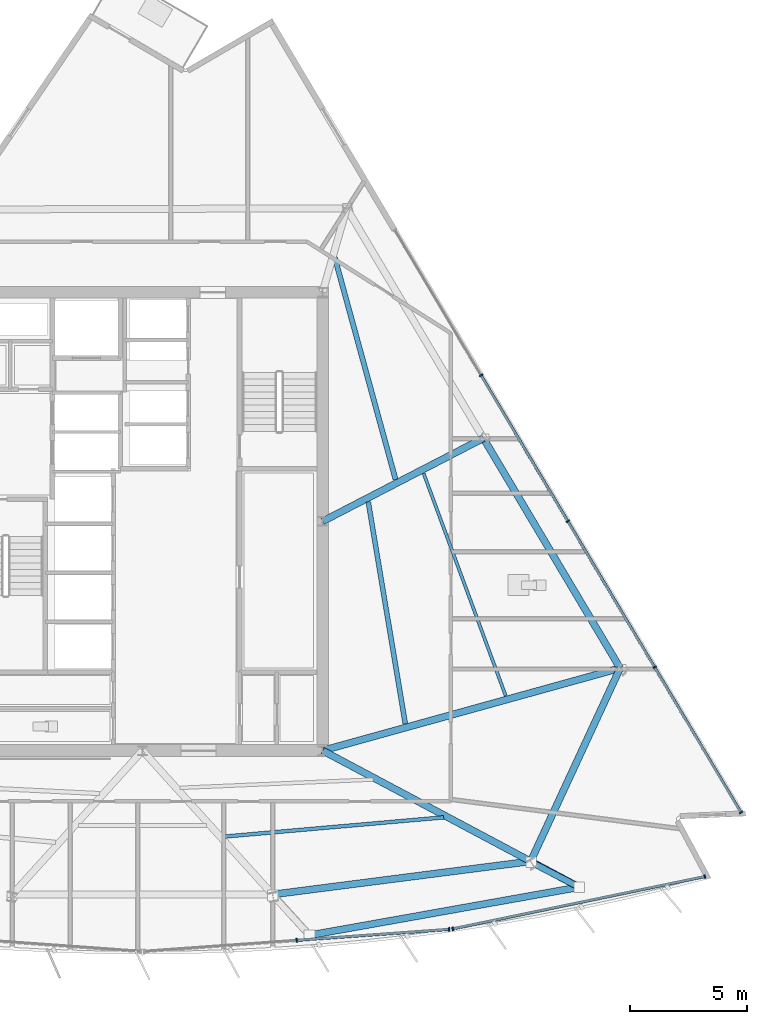
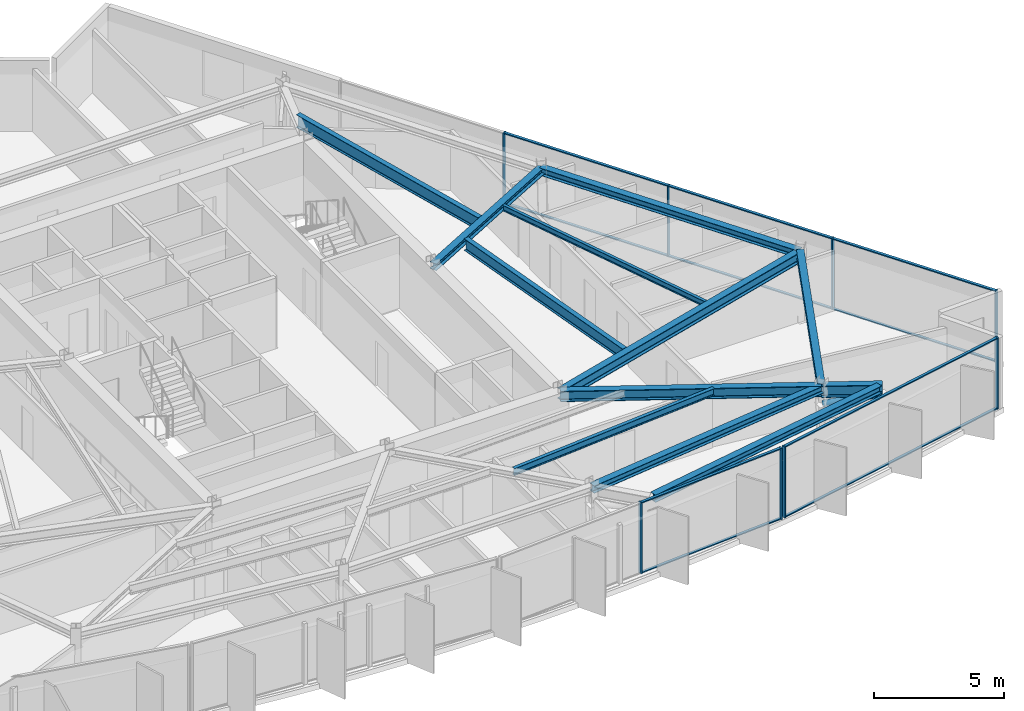
# One storey, part 5 of 15: 19 members, 12 beams, 3 elements without a shape of their own.
"""IFC4 building model written with IfcOpenShell, lengths in metres."""

from ifc_helpers import new_model, si_unit, direction, frame, origin, origin_2d, place, context, subcontext, project, spatial, rectangle, hollow_circle, i_section, extrude, material, material_profile, profile_set, type_object, element, aggregate, save


model = new_model("IFC4")

# Units and contexts
model_context = context("Model", 3, precision=1e-05, world=origin(), true_north=direction((0.0, 1.0)))
body_context = subcontext(model_context, "Body", "Model", "MODEL_VIEW")
ifc_project = project(units=[si_unit("LENGTHUNIT", "METRE"), si_unit("AREAUNIT", "SQUARE_METRE"), si_unit("VOLUMEUNIT", "CUBIC_METRE"), si_unit("PLANEANGLEUNIT", "RADIAN"), si_unit("MASSUNIT", "GRAM", prefix="KILO")], contexts=[model_context])

# Site, building, storey
site_placement = place(None, origin())
site = spatial("IfcSite", under=ifc_project, at=site_placement, CompositionType="ELEMENT")
building_placement = place(site_placement, origin())
building = spatial("IfcBuilding", under=site, at=building_placement, Name="Savorim Split Tower", CompositionType="ELEMENT")
storey_placement = place(building_placement, frame((0.0, 0.0, 212.699951171875)))
storey = spatial("IfcBuildingStorey", under=building, at=storey_placement, Name="L56", CompositionType="ELEMENT", Elevation=212.699951171875)

# Beams
ifc_material_1 = material(Name="Steel S355", Category="steel")
ifc_material_profile_1 = material_profile(ifc_material_1, i_section(OverallWidth=0.135009765625, OverallDepth=0.27001953125, WebThickness=0.006591796875, FlangeThickness=0.01025390625, FilletRadius=0.014892578125, at=origin_2d()), Name="IPE 270")
ifc_profile_set_1 = profile_set([ifc_material_profile_1], Name="Steel S355")
beam_type_1 = type_object("IfcBeamType", Name="BM-JST-IPE270", PredefinedType="JOIST", material=ifc_profile_set_1)
beam_1_placement = place(storey_placement, frame((15.5302734375, -7.06396484375, 3.215087890625), z_axis=(-0.346237241839, 0.938146988677, 0.0), x_axis=(-0.938146988677, -0.346237241839, 0.0)))
element("IfcBeam", 1, at=beam_1_placement, inside=storey, type_object=beam_type_1, Name="L56 Secondary Floor Joist JS-06", PredefinedType="JOIST", context=body_context, shape_type="SweptSolid", body=[
    extrude(i_section(OverallWidth=0.135009765625, OverallDepth=0.27001953125, WebThickness=0.006591796875, FlangeThickness=0.01025390625, FilletRadius=0.014892578125, at=origin_2d()), origin(), (0.0, 0.0, 1.0), 10.145263671875),
])
ifc_material_profile_2 = material_profile(ifc_material_1, i_section(OverallWidth=0.159912109375, OverallDepth=0.330078125, WebThickness=0.007568359375, FlangeThickness=0.011474609375, FilletRadius=0.01806640625, at=origin_2d()), Name="IPE 330")
ifc_profile_set_2 = profile_set([ifc_material_profile_2], Name="Steel S355")
beam_type_2 = type_object("IfcBeamType", Name="BM-JST-IPE330", PredefinedType="JOIST", material=ifc_profile_set_2)
beam_2_placement = place(storey_placement, frame((3.49658203125, -13.076904296875, 3.18505859375), z_axis=(0.996185524637, 0.087260532332, 0.0), x_axis=(-0.087260532332, 0.996185524637, 0.0)))
element("IfcBeam", 2, at=beam_2_placement, inside=storey, type_object=beam_type_2, Name="L56 Secondary Floor Joist JS-04", PredefinedType="JOIST", context=body_context, shape_type="SweptSolid", body=[
    extrude(i_section(OverallWidth=0.159912109375, OverallDepth=0.330078125, WebThickness=0.007568359375, FlangeThickness=0.011474609375, FilletRadius=0.01806640625, at=origin_2d()), origin(), (0.0, 0.0, 1.0), 9.41748046875),
])
ifc_material_profile_3 = material_profile(ifc_material_1, i_section(OverallWidth=0.2099609375, OverallDepth=0.550048828125, WebThickness=0.010986328125, FlangeThickness=0.01708984375, FilletRadius=0.02392578125, at=origin_2d()), Name="IPE 550")
ifc_profile_set_3 = profile_set([ifc_material_profile_3], Name="Steel S355")
beam_type_3 = type_object("IfcBeamType", Name="BM-JST-IPE550", PredefinedType="JOIST", material=ifc_profile_set_3)
beam_3_placement = place(storey_placement, frame((11.23486328125, -8.2548828125, 3.074951171875), z_axis=(-0.164567653394, 0.986365797996, 0.0), x_axis=(-0.986365797996, -0.164567653394, 0.0)))
element("IfcBeam", 3, at=beam_3_placement, inside=storey, type_object=beam_type_3, Name="L56 Secondary Floor Joist JS-08", PredefinedType="JOIST", context=body_context, shape_type="SweptSolid", body=[
    extrude(i_section(OverallWidth=0.2099609375, OverallDepth=0.550048828125, WebThickness=0.010986328125, FlangeThickness=0.01708984375, FilletRadius=0.02392578125, at=origin_2d()), origin(), (0.0, 0.0, 1.0), 9.62353515625),
])
ifc_material_profile_4 = material_profile(ifc_material_1, i_section(OverallWidth=0.219970703125, OverallDepth=0.60009765625, WebThickness=0.011962890625, FlangeThickness=0.01904296875, FilletRadius=0.02392578125, at=origin_2d()), Name="IPE 600")
ifc_profile_set_4 = profile_set([ifc_material_profile_4], Name="Steel S355")
beam_type_4 = type_object("IfcBeamType", Name="BM-JST-IPE600", PredefinedType="JOIST", material=ifc_profile_set_4)
beam_4_placement = place(storey_placement, frame((10.81982421875, 2.189453125, 3.050048828125), z_axis=(-0.264211471665, 0.964464772939, 0.0), x_axis=(-0.964464772939, -0.264211471665, 0.0)))
element("IfcBeam", 4, at=beam_4_placement, inside=storey, type_object=beam_type_4, Name="L56 Secondary Floor Joist JS-07", PredefinedType="JOIST", context=body_context, shape_type="SweptSolid", body=[
    extrude(i_section(OverallWidth=0.219970703125, OverallDepth=0.60009765625, WebThickness=0.011962890625, FlangeThickness=0.01904296875, FilletRadius=0.02392578125, at=origin_2d()), origin(), (0.0, 0.0, 1.0), 9.854736328125),
])
ifc_material_profile_5 = material_profile(ifc_material_1, i_section(OverallWidth=0.300048828125, OverallDepth=0.320068359375, WebThickness=0.011474609375, FlangeThickness=0.0205078125, FilletRadius=0.027099609375, at=origin_2d()), Name="HEB 320")
ifc_profile_set_5 = profile_set([ifc_material_profile_5], Name="Steel S355")
beam_type_5 = type_object("IfcBeamType", Name="BM-PRI-HEB320", PredefinedType="BEAM", material=ifc_profile_set_5)
beam_5_placement = place(storey_placement, frame((14.57421875, 3.95458984375, 3.18994140625), z_axis=(-0.888268686981, -0.459324220707, 0.0), x_axis=(0.459324220707, -0.888268686981, 0.0)))
element("IfcBeam", 5, at=beam_5_placement, inside=storey, type_object=beam_type_5, Name="L56 Primary Floor Girder RG-06", PredefinedType="BEAM", context=body_context, shape_type="SweptSolid", body=[
    extrude(i_section(OverallWidth=0.300048828125, OverallDepth=0.320068359375, WebThickness=0.011474609375, FlangeThickness=0.0205078125, FilletRadius=0.027099609375, at=origin_2d()), origin(), (0.0, 0.0, 1.0), 7.739013671875),
])
ifc_material_profile_6 = material_profile(ifc_material_1, i_section(OverallWidth=0.300048828125, OverallDepth=0.5, WebThickness=0.014404296875, FlangeThickness=0.028076171875, FilletRadius=0.027099609375, at=origin_2d()), Name="HEB 500")
ifc_profile_set_6 = profile_set([ifc_material_profile_6], Name="Steel S355")
beam_type_6 = type_object("IfcBeamType", Name="BM-PRI-HEB500", PredefinedType="BEAM", material=ifc_profile_set_6)
beam_6_placement = place(storey_placement, frame((16.595947265625, -14.135009765625, 3.10009765625), z_axis=(-0.882740924774, 0.469860042703, 0.0), x_axis=(-0.469860042703, -0.882740924774, 0.0)))
element("IfcBeam", 6, at=beam_6_placement, inside=storey, type_object=beam_type_6, Name="L56 Primary Floor Girder RG-04", PredefinedType="BEAM", context=body_context, shape_type="SweptSolid", body=[
    extrude(i_section(OverallWidth=0.300048828125, OverallDepth=0.5, WebThickness=0.014404296875, FlangeThickness=0.028076171875, FilletRadius=0.027099609375, at=origin_2d()), origin(), (0.0, 0.0, 1.0), 10.07763671875),
])
beam_7_placement = place(storey_placement, frame((20.418701171875, -5.874267578125, 3.10009765625), z_axis=(-0.963661407091, -0.26712673487, 0.0), x_axis=(0.26712673487, -0.963661407091, 0.0)))
element("IfcBeam", 7, at=beam_7_placement, inside=storey, type_object=beam_type_6, Name="L56 Primary Floor Girder RG-05", PredefinedType="BEAM", context=body_context, shape_type="SweptSolid", body=[
    extrude(i_section(OverallWidth=0.300048828125, OverallDepth=0.5, WebThickness=0.014404296875, FlangeThickness=0.028076171875, FilletRadius=0.027099609375, at=origin_2d()), origin(), (0.0, 0.0, 1.0), 13.1982421875),
])
ifc_material_profile_7 = material_profile(ifc_material_1, i_section(OverallWidth=0.300048828125, OverallDepth=0.550048828125, WebThickness=0.014892578125, FlangeThickness=0.029052734375, FilletRadius=0.027099609375, at=origin_2d()), Name="HEB 550")
ifc_profile_set_7 = profile_set([ifc_material_profile_7], Name="Steel S355")
beam_type_7 = type_object("IfcBeamType", Name="BM-PRI-HEB550", PredefinedType="BEAM", material=ifc_profile_set_7)
beam_8_placement = place(storey_placement, frame((16.595947265625, -14.135009765625, 3.074951171875), z_axis=(0.882729384276, -0.469881723559, 0.0), x_axis=(0.469881723559, 0.882729384276, 0.0)))
element("IfcBeam", 8, at=beam_8_placement, inside=storey, type_object=beam_type_7, Name="L56 Cantilevered Lounge Rib 2", PredefinedType="BEAM", context=body_context, shape_type="SweptSolid", body=[
    extrude(i_section(OverallWidth=0.300048828125, OverallDepth=0.550048828125, WebThickness=0.014892578125, FlangeThickness=0.029052734375, FilletRadius=0.027099609375, at=origin_2d()), origin(), (0.0, 0.0, 1.0), 2.35009765625),
])
ifc_material_profile_8 = material_profile(ifc_material_1, i_section(OverallWidth=0.300048828125, OverallDepth=0.35009765625, WebThickness=0.010009765625, FlangeThickness=0.017578125, FilletRadius=0.027099609375, at=origin_2d()), Name="HEA 360")
ifc_profile_set_8 = profile_set([ifc_material_profile_8], Name="Steel S355")
beam_type_8 = type_object("IfcBeamType", Name="BM-SPN-HEA360", PredefinedType="SPANDREL", material=ifc_profile_set_8)
beam_9_placement = place(storey_placement, frame((5.562255859375, -15.5517578125, 3.175048828125), z_axis=(0.991857016429, 0.127356424887, 0.0), x_axis=(-0.127356424887, 0.991857016429, 0.0)))
element("IfcBeam", 9, at=beam_9_placement, inside=storey, type_object=beam_type_8, Name="L56 Perimeter Spandrel Beam 3", PredefinedType="SPANDREL", context=body_context, shape_type="SweptSolid", body=[
    extrude(i_section(OverallWidth=0.300048828125, OverallDepth=0.35009765625, WebThickness=0.010009765625, FlangeThickness=0.017578125, FilletRadius=0.027099609375, at=origin_2d()), origin(), (0.0, 0.0, 1.0), 11.124267578125),
])
beam_10_placement = place(storey_placement, frame((16.595947265625, -14.135009765625, 3.175048828125), z_axis=(0.419973040056, 0.907536580875, 0.0), x_axis=(-0.907536580875, 0.419973040056, 0.0)))
element("IfcBeam", 10, at=beam_10_placement, inside=storey, type_object=beam_type_8, Name="L56 Perimeter Spandrel Beam 4", PredefinedType="SPANDREL", context=body_context, shape_type="SweptSolid", body=[
    extrude(i_section(OverallWidth=0.300048828125, OverallDepth=0.35009765625, WebThickness=0.010009765625, FlangeThickness=0.017578125, FilletRadius=0.027099609375, at=origin_2d()), origin(), (0.0, 0.0, 1.0), 9.102294921875),
])
beam_11_placement = place(storey_placement, frame((20.418701171875, -5.874267578125, 3.175048828125), z_axis=(-0.511094576525, 0.859524481237, 0.0), x_axis=(-0.859524481237, -0.511094576525, 0.0)))
element("IfcBeam", 11, at=beam_11_placement, inside=storey, type_object=beam_type_8, Name="L56 Perimeter Spandrel Beam 5", PredefinedType="SPANDREL", context=body_context, shape_type="SweptSolid", body=[
    extrude(i_section(OverallWidth=0.300048828125, OverallDepth=0.35009765625, WebThickness=0.010009765625, FlangeThickness=0.017578125, FilletRadius=0.027099609375, at=origin_2d()), origin(), (0.0, 0.0, 1.0), 11.435302734375),
])
beam_12_placement = place(storey_placement, frame((7.2958984375, -17.2666015625, 3.175048828125), z_axis=(0.984484866102, 0.17546950851, 0.0), x_axis=(-0.17546950851, 0.984484866102, 0.0)))
element("IfcBeam", 12, at=beam_12_placement, inside=storey, type_object=beam_type_8, Name="L56 Cantilevered Lounge Front Edge Beam", PredefinedType="SPANDREL", context=body_context, shape_type="SweptSolid", body=[
    extrude(i_section(OverallWidth=0.300048828125, OverallDepth=0.35009765625, WebThickness=0.010009765625, FlangeThickness=0.017578125, FilletRadius=0.027099609375, at=origin_2d()), origin(), (0.0, 0.0, 1.0), 11.393798828125),
])

# Curtain wall, members
ifc_material_2 = material(Name="Dark Ceramic-Fritted Insulated Glass", Category="glass")
curtain_wall_type = type_object("IfcCurtainWallType", Name="CW-TWR-FRIT-B", PredefinedType="NOTDEFINED", material=ifc_material_2)
curtain_wall_1_placement = place(storey_placement, origin())
curtain_wall_1 = element("IfcCurtainWall", 13, at=curtain_wall_1_placement, inside=storey, type_object=curtain_wall_type, Name="L56 Curtain Wall CW-L56-SF3", PredefinedType="NOTDEFINED")
ifc_material_3 = material(Name="Charcoal Anodised Aluminium", Category="aluminium")
ifc_material_profile_9 = material_profile(ifc_material_3, rectangle(XDim=0.159912109375, YDim=0.06005859375, at=origin_2d()), Name="ALU-M 160x60")
ifc_profile_set_9 = profile_set([ifc_material_profile_9], Name="Charcoal Anodised Aluminium")
member_type_1 = type_object("IfcMemberType", Name="CWM-160x60", PredefinedType="MULLION", material=ifc_profile_set_9)
member_1_placement = place(storey_placement, frame((6.591796875, -17.509033203125, 0.0), z_axis=(0.0, 0.0, 1.0), x_axis=(-0.071561883187, 0.997436161804, 0.0)))
member_1 = element("IfcMember", 14, at=member_1_placement, type_object=member_type_1, Name="CW-03 mullion 2", PredefinedType="MULLION", context=body_context, shape_type="SweptSolid", body=[
    extrude(rectangle(XDim=0.159912109375, YDim=0.06005859375, at=origin_2d()), origin(), (0.0, 0.0, 1.0), 3.35009765625),
])
member_2_placement = place(storey_placement, frame((13.102294921875, -17.0419921875, 0.0), z_axis=(0.0, 0.0, 1.0), x_axis=(-0.071561883187, 0.997436161804, 0.0)))
member_2 = element("IfcMember", 15, at=member_2_placement, type_object=member_type_1, Name="CW-03 mullion 3", PredefinedType="MULLION", context=body_context, shape_type="SweptSolid", body=[
    extrude(rectangle(XDim=0.159912109375, YDim=0.06005859375, at=origin_2d()), origin(), (0.0, 0.0, 1.0), 3.35009765625),
])

curtain_wall_2_placement = place(storey_placement, origin())
curtain_wall_2 = element("IfcCurtainWall", 16, at=curtain_wall_2_placement, inside=storey, type_object=curtain_wall_type, Name="L56 Curtain Wall CW-L56-SF4", PredefinedType="NOTDEFINED")
member_3_placement = place(storey_placement, frame((13.264404296875, -17.01953125, 0.0), z_axis=(0.0, 0.0, 1.0), x_axis=(-0.203207957161, 0.979135601511, 0.0)))
member_3 = element("IfcMember", 17, at=member_3_placement, type_object=member_type_1, Name="CW-03 mullion 1", PredefinedType="MULLION", context=body_context, shape_type="SweptSolid", body=[
    extrude(rectangle(XDim=0.159912109375, YDim=0.06005859375, at=origin_2d()), origin(), (0.0, 0.0, 1.0), 3.35009765625),
])
member_4_placement = place(storey_placement, frame((24.041259765625, -14.782958984375, 0.0), z_axis=(0.0, 0.0, 1.0), x_axis=(-0.203207957161, 0.979135601511, 0.0)))
member_4 = element("IfcMember", 18, at=member_4_placement, type_object=member_type_1, Name="CW-03 mullion 2", PredefinedType="MULLION", context=body_context, shape_type="SweptSolid", body=[
    extrude(rectangle(XDim=0.159912109375, YDim=0.06005859375, at=origin_2d()), origin(), (0.0, 0.0, 1.0), 3.35009765625),
])

curtain_wall_3_placement = place(storey_placement, origin())
curtain_wall_3 = element("IfcCurtainWall", 19, at=curtain_wall_3_placement, inside=storey, type_object=curtain_wall_type, Name="L56 Curtain Wall CW-L56-EAST", PredefinedType="NOTDEFINED")
member_5_placement = place(storey_placement, frame((25.586181640625, -12.04736328125, 0.0), z_axis=(0.0, 0.0, 1.0), x_axis=(-0.859525909056, -0.511092175308, 0.0)))
member_5 = element("IfcMember", 20, at=member_5_placement, type_object=member_type_1, Name="CW-03 mullion 1", PredefinedType="MULLION", context=body_context, shape_type="SweptSolid", body=[
    extrude(rectangle(XDim=0.159912109375, YDim=0.06005859375, at=origin_2d()), origin(), (0.0, 0.0, 1.0), 3.35009765625),
])
member_6_placement = place(storey_placement, frame((21.89208984375, -5.8349609375, 0.0), z_axis=(0.0, 0.0, 1.0), x_axis=(-0.859525909056, -0.511092175308, 0.0)))
member_6 = element("IfcMember", 21, at=member_6_placement, type_object=member_type_1, Name="CW-03 mullion 2", PredefinedType="MULLION", context=body_context, shape_type="SweptSolid", body=[
    extrude(rectangle(XDim=0.159912109375, YDim=0.06005859375, at=origin_2d()), origin(), (0.0, 0.0, 1.0), 3.35009765625),
])
member_7_placement = place(storey_placement, frame((18.1826171875, 0.4033203125, 0.0), z_axis=(0.0, 0.0, 1.0), x_axis=(-0.859525909056, -0.511092175308, 0.0)))
member_7 = element("IfcMember", 22, at=member_7_placement, type_object=member_type_1, Name="CW-03 mullion 3", PredefinedType="MULLION", context=body_context, shape_type="SweptSolid", body=[
    extrude(rectangle(XDim=0.159912109375, YDim=0.06005859375, at=origin_2d()), origin(), (0.0, 0.0, 1.0), 3.35009765625),
])
member_8_placement = place(storey_placement, frame((14.473388671875, 6.641357421875, 0.0), z_axis=(0.0, 0.0, 1.0), x_axis=(-0.859525909056, -0.511092175308, 0.0)))
member_8 = element("IfcMember", 23, at=member_8_placement, type_object=member_type_1, Name="CW-03 mullion 4", PredefinedType="MULLION", context=body_context, shape_type="SweptSolid", body=[
    extrude(rectangle(XDim=0.159912109375, YDim=0.06005859375, at=origin_2d()), origin(), (0.0, 0.0, 1.0), 3.35009765625),
])

# Member
ifc_material_profile_10 = material_profile(ifc_material_3, rectangle(XDim=0.1201171875, YDim=0.050048828125, at=origin_2d()), Name="ALU-T 120x50")
ifc_profile_set_10 = profile_set([ifc_material_profile_10], Name="Charcoal Anodised Aluminium")
member_type_2 = type_object("IfcMemberType", Name="CWT-120x50", PredefinedType="USERDEFINED", material=ifc_profile_set_10)
member_9_placement = place(storey_placement, frame((6.62158203125, -17.507080078125, 0.025146484375), z_axis=(0.997435267849, 0.071574342133, 0.0), x_axis=(-0.071574342133, 0.997435267849, 0.0)))
member_9 = element("IfcMember", 24, at=member_9_placement, type_object=member_type_2, Name="CW-03 transom 2.1", ObjectType="TRANSOM", PredefinedType="USERDEFINED", context=body_context, shape_type="SweptSolid", body=[
    extrude(rectangle(XDim=0.1201171875, YDim=0.050048828125, at=origin_2d()), origin(), (0.0, 0.0, 1.0), 6.46728515625),
])

member_10_placement = place(storey_placement, frame((6.62158203125, -17.507080078125, 3.324951171875), z_axis=(0.997435267849, 0.071574342133, 0.0), x_axis=(-0.071574342133, 0.997435267849, 0.0)))
member_10 = element("IfcMember", 25, at=member_10_placement, type_object=member_type_2, Name="CW-03 transom 2.2", ObjectType="TRANSOM", PredefinedType="USERDEFINED", context=body_context, shape_type="SweptSolid", body=[
    extrude(rectangle(XDim=0.1201171875, YDim=0.050048828125, at=origin_2d()), origin(), (0.0, 0.0, 1.0), 6.46728515625),
])

aggregate(curtain_wall_1, [member_1, member_2, member_9, member_10])

member_11_placement = place(storey_placement, frame((13.293701171875, -17.013427734375, 0.025146484375), z_axis=(0.979137102834, 0.203200723063, 0.0), x_axis=(-0.203200723063, 0.979137102834, 0.0)))
member_11 = element("IfcMember", 26, at=member_11_placement, type_object=member_type_2, Name="CW-03 transom 1.1", ObjectType="TRANSOM", PredefinedType="USERDEFINED", context=body_context, shape_type="SweptSolid", body=[
    extrude(rectangle(XDim=0.1201171875, YDim=0.050048828125, at=origin_2d()), origin(), (0.0, 0.0, 1.0), 10.946533203125),
])

member_12_placement = place(storey_placement, frame((13.293701171875, -17.013427734375, 3.324951171875), z_axis=(0.979137102834, 0.203200723063, 0.0), x_axis=(-0.203200723063, 0.979137102834, 0.0)))
member_12 = element("IfcMember", 27, at=member_12_placement, type_object=member_type_2, Name="CW-03 transom 1.2", ObjectType="TRANSOM", PredefinedType="USERDEFINED", context=body_context, shape_type="SweptSolid", body=[
    extrude(rectangle(XDim=0.1201171875, YDim=0.050048828125, at=origin_2d()), origin(), (0.0, 0.0, 1.0), 10.946533203125),
])

aggregate(curtain_wall_2, [member_3, member_4, member_11, member_12])

member_13_placement = place(storey_placement, frame((25.57080078125, -12.021484375, 0.025146484375), z_axis=(-0.511085594604, 0.859529822047, 0.0), x_axis=(-0.859529822047, -0.511085594604, 0.0)))
member_13 = element("IfcMember", 28, at=member_13_placement, type_object=member_type_2, Name="CW-03 transom 1.1", ObjectType="TRANSOM", PredefinedType="USERDEFINED", context=body_context, shape_type="SweptSolid", body=[
    extrude(rectangle(XDim=0.1201171875, YDim=0.050048828125, at=origin_2d()), origin(), (0.0, 0.0, 1.0), 7.167724609375),
])

member_14_placement = place(storey_placement, frame((25.57080078125, -12.021484375, 3.324951171875), z_axis=(-0.511085594604, 0.859529822047, 0.0), x_axis=(-0.859529822047, -0.511085594604, 0.0)))
member_14 = element("IfcMember", 29, at=member_14_placement, type_object=member_type_2, Name="CW-03 transom 1.2", ObjectType="TRANSOM", PredefinedType="USERDEFINED", context=body_context, shape_type="SweptSolid", body=[
    extrude(rectangle(XDim=0.1201171875, YDim=0.050048828125, at=origin_2d()), origin(), (0.0, 0.0, 1.0), 7.167724609375),
])

member_15_placement = place(storey_placement, frame((21.876708984375, -5.80908203125, 0.025146484375), z_axis=(-0.511099775208, 0.85952138995, 0.0), x_axis=(-0.85952138995, -0.511099775208, 0.0)))
member_15 = element("IfcMember", 30, at=member_15_placement, type_object=member_type_2, Name="CW-03 transom 2.1", ObjectType="TRANSOM", PredefinedType="USERDEFINED", context=body_context, shape_type="SweptSolid", body=[
    extrude(rectangle(XDim=0.1201171875, YDim=0.050048828125, at=origin_2d()), origin(), (0.0, 0.0, 1.0), 7.19775390625),
])

member_16_placement = place(storey_placement, frame((21.876708984375, -5.80908203125, 3.324951171875), z_axis=(-0.511099775208, 0.85952138995, 0.0), x_axis=(-0.85952138995, -0.511099775208, 0.0)))
member_16 = element("IfcMember", 31, at=member_16_placement, type_object=member_type_2, Name="CW-03 transom 2.2", ObjectType="TRANSOM", PredefinedType="USERDEFINED", context=body_context, shape_type="SweptSolid", body=[
    extrude(rectangle(XDim=0.1201171875, YDim=0.050048828125, at=origin_2d()), origin(), (0.0, 0.0, 1.0), 7.19775390625),
])

member_17_placement = place(storey_placement, frame((18.16748046875, 0.428955078125, 0.025146484375), z_axis=(-0.511084874667, 0.859530250129, 0.0), x_axis=(-0.859530250129, -0.511084874667, 0.0)))
member_17 = element("IfcMember", 32, at=member_17_placement, type_object=member_type_2, Name="CW-03 transom 3.1", ObjectType="TRANSOM", PredefinedType="USERDEFINED", context=body_context, shape_type="SweptSolid", body=[
    extrude(rectangle(XDim=0.1201171875, YDim=0.050048828125, at=origin_2d()), origin(), (0.0, 0.0, 1.0), 7.19775390625),
])

member_18_placement = place(storey_placement, frame((18.16748046875, 0.428955078125, 3.324951171875), z_axis=(-0.511084874667, 0.859530250129, 0.0), x_axis=(-0.859530250129, -0.511084874667, 0.0)))
member_18 = element("IfcMember", 33, at=member_18_placement, type_object=member_type_2, Name="CW-03 transom 3.2", ObjectType="TRANSOM", PredefinedType="USERDEFINED", context=body_context, shape_type="SweptSolid", body=[
    extrude(rectangle(XDim=0.1201171875, YDim=0.050048828125, at=origin_2d()), origin(), (0.0, 0.0, 1.0), 7.19775390625),
])

aggregate(curtain_wall_3, [member_5, member_6, member_7, member_8, member_13, member_14, member_15, member_16, member_17, member_18])

ifc_material_profile_11 = material_profile(ifc_material_1, hollow_circle(Radius=0.136474609375, WallThickness=0.01611328125, at=origin_2d()), Name="CHS 273x16")
ifc_profile_set_11 = profile_set([ifc_material_profile_11], Name="Steel S355")
member_type_3 = type_object("IfcMemberType", Name="MBR-CRN-CHS273", PredefinedType="BRACE", material=ifc_profile_set_11)
member_19_placement = place(storey_placement, frame((16.61962890625, -14.173583984375, 2.449951171875), z_axis=(0.876182155525, -0.455301798674, 0.158130017592), x_axis=(0.461103261968, 0.887346483513, 0.0)))
element("IfcMember", 34, at=member_19_placement, inside=storey, type_object=member_type_3, Name="L56 Cantilevered Bay Support Strut 2", PredefinedType="BRACE", context=body_context, shape_type="SweptSolid", body=[
    extrude(hollow_circle(Radius=0.136474609375, WallThickness=0.01611328125, at=origin_2d()), origin(), (0.0, 0.0, 1.0), 2.340576171875),
])

save(model, "model.ifc")
